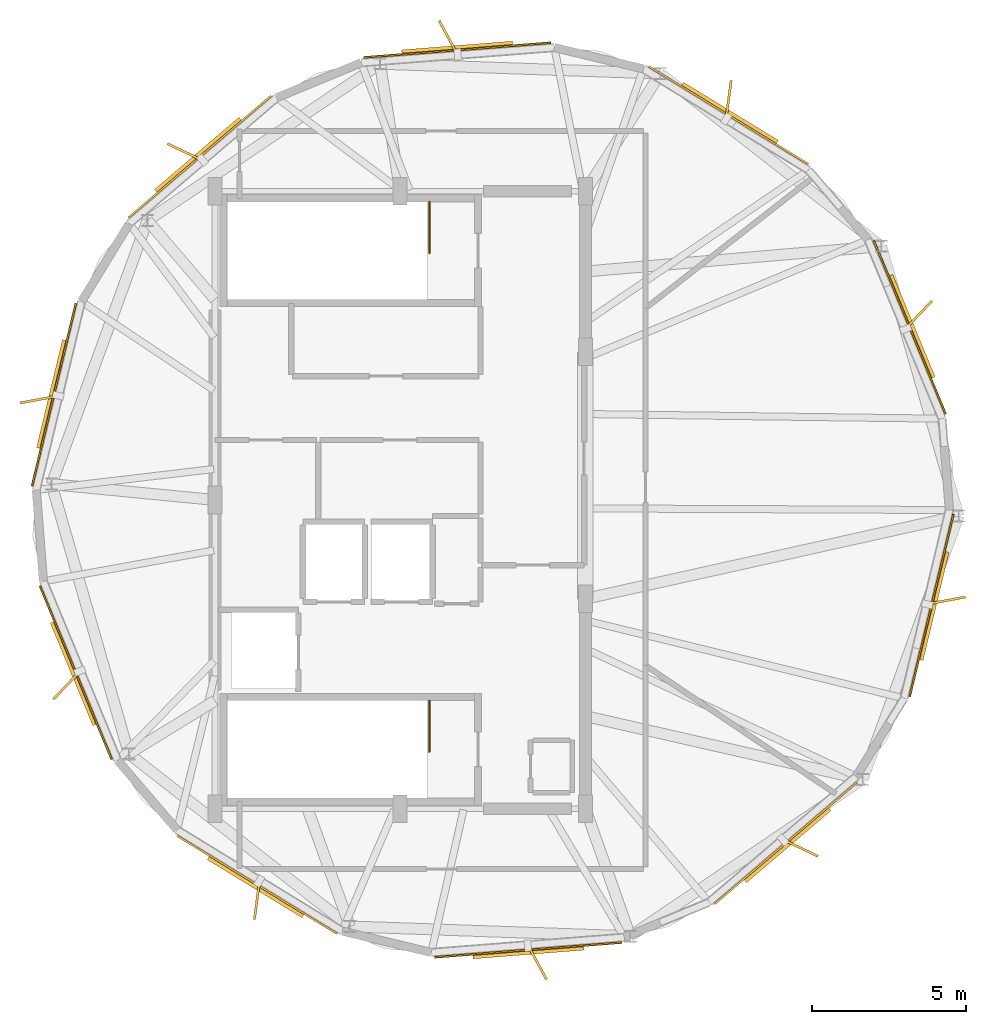
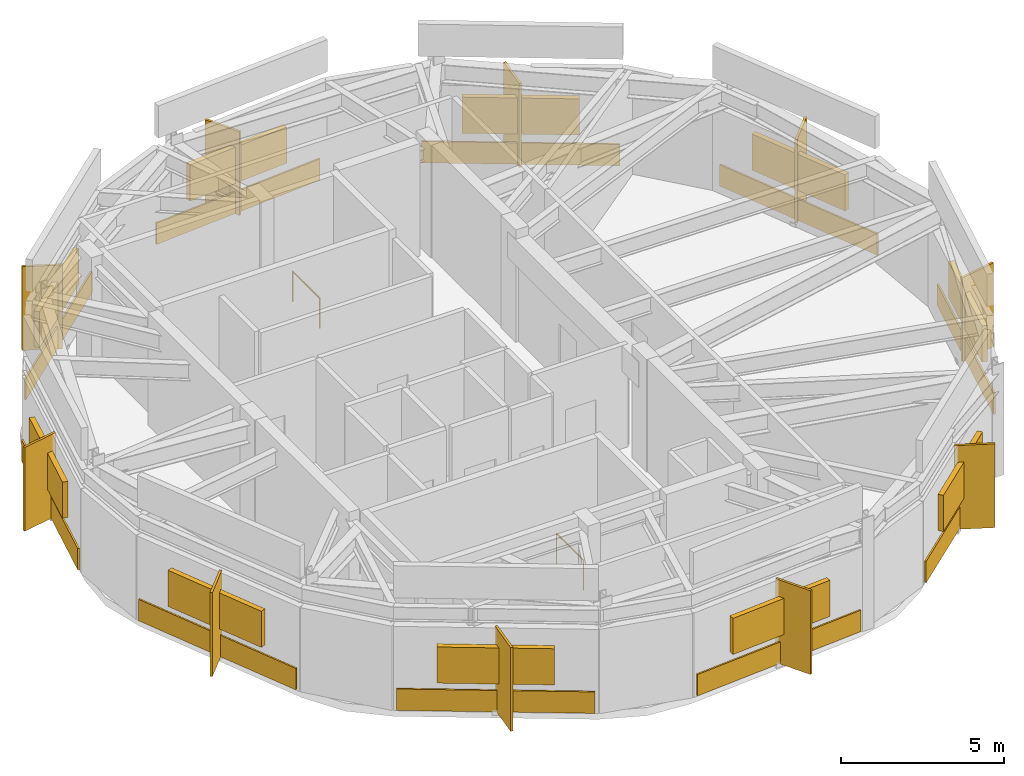
# One storey, part 5 of 5: 20 shading devices, 10 coverings, 2 railings.
"""IFC4 building model written with IfcOpenShell, lengths in metres."""

from ifc_helpers import new_model, si_unit, direction, frame, origin, origin_2d, place, context, subcontext, project, spatial, rectangle, circle, extrude, material, layer, layer_set, type_object, element, save


model = new_model("IFC4")

# Units and contexts
model_context = context("Model", 3, precision=1e-05, world=origin(), true_north=direction((0.0, 1.0)))
body_context = subcontext(model_context, "Body", "Model", "MODEL_VIEW")
ifc_project = project(units=[si_unit("LENGTHUNIT", "METRE"), si_unit("AREAUNIT", "SQUARE_METRE"), si_unit("VOLUMEUNIT", "CUBIC_METRE"), si_unit("PLANEANGLEUNIT", "RADIAN"), si_unit("MASSUNIT", "GRAM", prefix="KILO")], contexts=[model_context])

# Site, building, storey
site_placement = place(None, origin())
site = spatial("IfcSite", under=ifc_project, at=site_placement, CompositionType="ELEMENT")
building_placement = place(site_placement, origin())
building = spatial("IfcBuilding", under=site, at=building_placement, Name="Soratama Intermodal Tower", CompositionType="ELEMENT")
storey_placement = place(building_placement, frame((0.0, 0.0, 318.25)))
storey = spatial("IfcBuildingStorey", under=building, at=storey_placement, Name="L80", CompositionType="ELEMENT", Elevation=318.25)

# Coverings
ifc_material_1 = material(Name="Honed Andean limestone cladding", Category="masonry")
ifc_layer_1 = layer(ifc_material_1, 0.06005859375)
ifc_layer_set_1 = layer_set([ifc_layer_1], Name="Honed Andean limestone cladding")
covering_type = type_object("IfcCoveringType", Name="CV-STONE-CLAD", PredefinedType="CLADDING", material=ifc_layer_set_1)
for number, where, z_axis, x_axis, name in (
    (1, (40.453125, 39.571044921875, 0.0498046875), (0.0, 0.0, 1.0), (-0.996917333733, -0.078459095728, 0.0), "L80 Stone Cladding F01"),
    (2, (32.107666015625, 36.1142578125, 0.0498046875), (0.0, 0.0, 1.0), (-0.7604059656, -0.64944804833, 0.0), "L80 Stone Cladding F02"),
    (3, (27.3876953125, 28.412109375, 0.0498046875), (0.0, 0.0, 1.0), (-0.233445363856, -0.972369920398, 0.0), "L80 Stone Cladding F03"),
    (4, (28.096435546875, 19.40673828125, 0.0498046875), (0.0, 0.0, 1.0), (0.382683432365, -0.923879532511, 0.0), "L80 Stone Cladding F04"),
    (5, (33.963134765625, 12.537841796875, 0.0498046875), (0.0, 0.0, 1.0), (0.852640164354, -0.522498564716, 0.0), "L80 Stone Cladding F05"),
    (6, (42.746826171875, 10.428955078125, 0.0498046875), (0.0, 0.0, 1.0), (0.996917333733, 0.078459095728, 0.0), "L80 Stone Cladding F06"),
    (7, (51.09228515625, 13.8857421875, 0.0498046875), (0.0, 0.0, 1.0), (0.7604059656, 0.64944804833, 0.0), "L80 Stone Cladding F07"),
    (8, (55.812255859375, 21.587890625, 0.0498046875), (0.0, 0.0, 1.0), (0.233445363856, 0.972369920398, 0.0), "L80 Stone Cladding F08"),
    (9, (55.103515625, 30.59326171875, 0.0498046875), (0.0, 0.0, 1.0), (-0.382683432365, 0.923879532511, 0.0), "L80 Stone Cladding F09"),
    (10, (49.23681640625, 37.462158203125, 0.0498046875), (0.0, 0.0, 1.0), (-0.852640164354, 0.522498564716, 0.0), "L80 Stone Cladding F10"),
):
    element("IfcCovering", number, at=place(storey_placement, frame(where, z_axis=z_axis, x_axis=x_axis)), inside=storey, type_object=covering_type, Name=name, PredefinedType="CLADDING", context=body_context, shape_type="SweptSolid", body=[
        extrude(rectangle(XDim=6.074951171875, YDim=0.06005859375, at=origin_2d()), origin(), (0.0, 0.0, 1.0), 0.800048828125),
    ])

# Railings
ifc_material_2 = material(Name="Painted steel stair guardrail", Category="steel")
railing_type = type_object("IfcRailingType", Name="RL-STAIR-GUARD", PredefinedType="GUARDRAIL", material=ifc_material_2)
for number, where, name in (
    (11, (39.550048828125, 18.5, 0.0), "L80 ST-1 top well guard 1"),
    (12, (39.550048828125, 34.64990234375, 0.0), "L80 ST-2 top well guard 1"),
):
    element("IfcRailing", number, at=place(storey_placement, frame(where)), inside=storey, type_object=railing_type, Name=name, PredefinedType="GUARDRAIL", context=body_context, shape_type="SweptSolid", body=[
        extrude(circle(Radius=0.02392578125, at=origin_2d()), frame((0.0, 0.0, 1.1259765625), z_axis=(0.0, -1.0, 0.0), x_axis=(1.0, 0.0, 0.0)), (0.0, 0.0, 1.0), 1.64990234375),
        extrude(circle(Radius=0.02099609375, at=origin_2d()), origin(), (0.0, 0.0, 1.0), 1.101806640625),
        extrude(circle(Radius=0.02099609375, at=origin_2d()), frame((0.0, -1.64990234375, 0.0)), (0.0, 0.0, 1.0), 1.101806640625),
    ])

# Shading devices
ifc_material_3 = material(Name="Champagne anodised aluminium solar fin", Category="aluminium")
ifc_layer_2 = layer(ifc_material_3, 0.080078125)
ifc_layer_set_2 = layer_set([ifc_layer_2], Name="Champagne anodised aluminium solar fin")
shading_device_type_1 = type_object("IfcShadingDeviceType", Name="SH-FIN-1250", PredefinedType="USERDEFINED", material=ifc_layer_set_2)
for number, where, z_axis, x_axis, name in (
    (13, (40.157958984375, 39.978271484375, 0.02001953125), (0.0, 0.0, 1.0), (-0.47715876026, 0.878817112662, 0.0), "L80 Solar Fin F01-1"),
    (14, (31.62939453125, 36.270263671875, 0.02001953125), (0.0, 0.0, 1.0), (-0.90258528435, 0.430511096808, 0.0), "L80 Solar Fin F02-1"),
    (15, (26.9091796875, 28.257080078125, 0.02001953125), (0.0, 0.0, 1.0), (-0.983254907564, -0.182235525492, 0.0), "L80 Solar Fin F03-1"),
    (16, (27.80029296875, 19.0, 0.02001953125), (0.0, 0.0, 1.0), (-0.688354575694, -0.725374371012, 0.0), "L80 Solar Fin F04-1"),
    (17, (33.96240234375, 12.03466796875, 0.02001953125), (0.0, 0.0, 1.0), (-0.13052619222, -0.991444861374, 0.0), "L80 Solar Fin F05-1"),
    (18, (43.0419921875, 10.021728515625, 0.02001953125), (0.0, 0.0, 1.0), (0.47715876026, -0.878817112662, 0.0), "L80 Solar Fin F06-1"),
    (19, (51.570556640625, 13.729736328125, 0.02001953125), (0.0, 0.0, 1.0), (0.90258528435, -0.430511096808, 0.0), "L80 Solar Fin F07-1"),
    (20, (56.290771484375, 21.742919921875, 0.02001953125), (0.0, 0.0, 1.0), (0.983254907564, 0.182235525492, 0.0), "L80 Solar Fin F08-1"),
    (21, (55.399658203125, 31.0, 0.02001953125), (0.0, 0.0, 1.0), (0.688354575694, 0.725374371012, 0.0), "L80 Solar Fin F09-1"),
    (22, (49.237548828125, 37.96533203125, 0.02001953125), (0.0, 0.0, 1.0), (0.13052619222, 0.991444861374, 0.0), "L80 Solar Fin F10-1"),
):
    element("IfcShadingDevice", number, at=place(storey_placement, frame(where, z_axis=z_axis, x_axis=x_axis)), inside=storey, type_object=shading_device_type_1, Name=name, ObjectType="FIN", PredefinedType="USERDEFINED", context=body_context, shape_type="SweptSolid", body=[
        extrude(rectangle(XDim=1.25, YDim=0.080078125, at=origin_2d()), origin(), (0.0, 0.0, 1.0), 3.1298828125),
    ])
ifc_material_4 = material(Name="Anodised aluminium weather louvre", Category="aluminium")
ifc_layer_3 = layer(ifc_material_4, 0.1201171875)
ifc_layer_set_3 = layer_set([ifc_layer_3], Name="Anodised aluminium weather louvre")
shading_device_type_2 = type_object("IfcShadingDeviceType", Name="SH-LOUVRE-PLANT", PredefinedType="JALOUSIE", material=ifc_layer_set_3)
for number, where, z_axis, x_axis, name in (
    (23, (40.448486328125, 39.630859375, 1.175048828125), (0.0, 0.0, 1.0), (-0.996917333733, -0.078459095728, 0.0), "L80 Acoustic Louvre F01"),
    (24, (32.068603515625, 36.159912109375, 1.175048828125), (0.0, 0.0, 1.0), (-0.7604059656, -0.64944804833, 0.0), "L80 Acoustic Louvre F02"),
    (25, (27.329345703125, 28.426025390625, 1.175048828125), (0.0, 0.0, 1.0), (-0.233445363856, -0.972369920398, 0.0), "L80 Acoustic Louvre F03"),
    (26, (28.041015625, 19.3837890625, 1.175048828125), (0.0, 0.0, 1.0), (0.382683432365, -0.923879532511, 0.0), "L80 Acoustic Louvre F04"),
    (27, (33.931884765625, 12.486572265625, 1.175048828125), (0.0, 0.0, 1.0), (0.852640164354, -0.522498564716, 0.0), "L80 Acoustic Louvre F05"),
    (28, (42.75146484375, 10.369140625, 1.175048828125), (0.0, 0.0, 1.0), (0.996917333733, 0.078459095728, 0.0), "L80 Acoustic Louvre F06"),
    (29, (51.13134765625, 13.840087890625, 1.175048828125), (0.0, 0.0, 1.0), (0.7604059656, 0.64944804833, 0.0), "L80 Acoustic Louvre F07"),
    (30, (55.87060546875, 21.573974609375, 1.175048828125), (0.0, 0.0, 1.0), (0.233445363856, 0.972369920398, 0.0), "L80 Acoustic Louvre F08"),
    (31, (55.158935546875, 30.6162109375, 1.175048828125), (0.0, 0.0, 1.0), (-0.382683432365, 0.923879532511, 0.0), "L80 Acoustic Louvre F09"),
    (32, (49.268310546875, 37.513427734375, 1.175048828125), (0.0, 0.0, 1.0), (-0.852640164354, 0.522498564716, 0.0), "L80 Acoustic Louvre F10"),
):
    element("IfcShadingDevice", number, at=place(storey_placement, frame(where, z_axis=z_axis, x_axis=x_axis)), inside=storey, type_object=shading_device_type_2, Name=name, PredefinedType="JALOUSIE", context=body_context, shape_type="SweptSolid", body=[
        extrude(rectangle(XDim=3.60009765625, YDim=0.179931640625, at=origin_2d()), origin(), (0.0, 0.0, 1.0), 1.35009765625),
    ])

save(model, "model.ifc")
